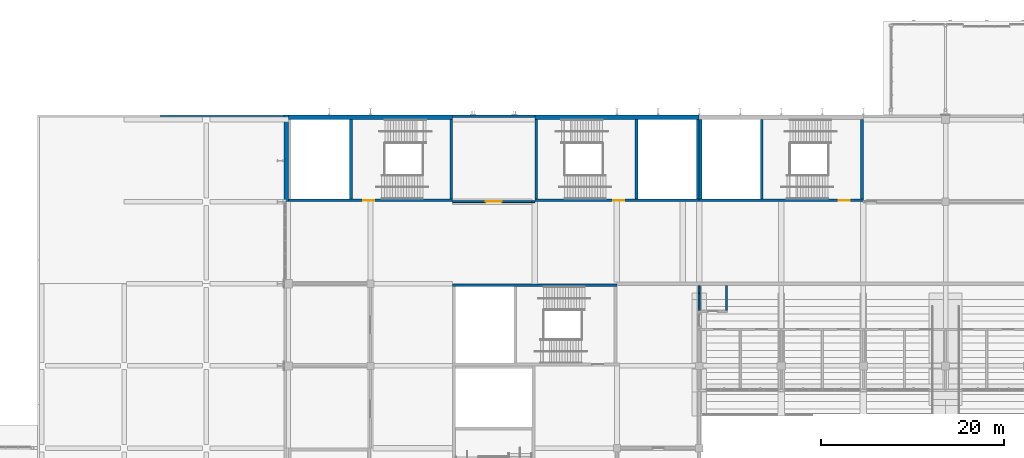
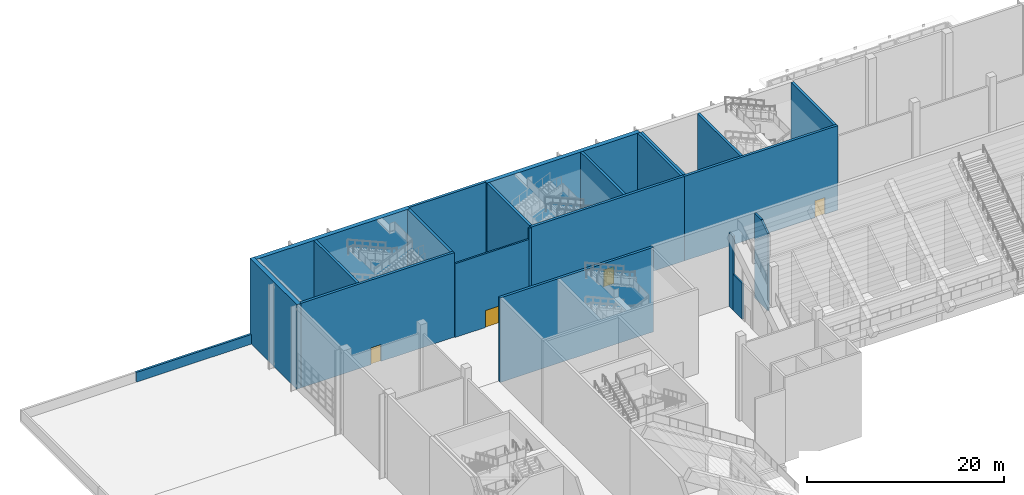
# One storey, part 93 of 182: 22 walls, 4 doors, 4 openings.
"""IFC4 building model written with IfcOpenShell, lengths in metres."""

from ifc_helpers import new_model, si_unit, direction, frame, frame_2d, origin, place, context, subcontext, project, spatial, polyline, rectangle, outline, extrude, material, layer, layer_set, type_object, element, fill, save


model = new_model("IFC4")

# Units and contexts
model_context = context("Model", 3, precision=1e-05, world=origin(), true_north=direction((0.0, 1.0)))
body_context = subcontext(model_context, "Body", "Model", "MODEL_VIEW")
ifc_project = project(units=[si_unit("LENGTHUNIT", "METRE"), si_unit("AREAUNIT", "SQUARE_METRE"), si_unit("VOLUMEUNIT", "CUBIC_METRE"), si_unit("PLANEANGLEUNIT", "RADIAN"), si_unit("MASSUNIT", "GRAM", prefix="KILO")], contexts=[model_context])

# Site, building, storey
site_placement = place(None, origin())
site = spatial("IfcSite", under=ifc_project, at=site_placement, CompositionType="ELEMENT")
building_placement = place(site_placement, origin())
building = spatial("IfcBuilding", under=site, at=building_placement, Name="Silverbay Arena", CompositionType="ELEMENT")
storey_placement = place(building_placement, frame((0.0, 0.0, 11.5)))
storey = spatial("IfcBuildingStorey", under=building, at=storey_placement, Name="L02", CompositionType="ELEMENT", Elevation=11.5)

# Wall
ifc_material_1 = material(Name="Concrete Grade C45 precast, light finish", Category="concrete")
ifc_layer_1 = layer(ifc_material_1, 0.300048828125)
ifc_layer_set_1 = layer_set([ifc_layer_1], Name="Concrete Grade C45 precast, light finish")
wall_type_1 = type_object("IfcWallType", Name="Cladded external wall 300", PredefinedType="SOLIDWALL", material=ifc_layer_set_1)
wall_1_placement = place(storey_placement, frame((81.0, 144.35009765625, 0.0), z_axis=(0.0, 0.0, 1.0), x_axis=(-1.0, 0.0, 0.0)))
element("IfcWall", 1, at=wall_1_placement, inside=storey, type_object=wall_type_1, Name="North external wall L02 bay 3", PredefinedType="SOLIDWALL", context=body_context, shape_type="SweptSolid", body=[
    extrude(rectangle(XDim=9.0, YDim=0.300048828125, at=frame_2d((4.5, 0.0))), origin(), (0.0, 0.0, 1.0), 10.5),
])

# Wall, opening, door
ifc_material_2 = material(Name="Concrete Grade C45", Category="concrete")
ifc_layer_2 = layer(ifc_material_2, 0.300048828125)
ifc_layer_set_2 = layer_set([ifc_layer_2], Name="Concrete Grade C45")
wall_type_2 = type_object("IfcWallType", Name="Core wall RC 300 EI 120", PredefinedType="SHEAR", material=ifc_layer_set_2)
wall_2_placement = place(storey_placement, frame((81.0, 135.14990234375, 0.0), z_axis=(0.0, 0.0, 1.0), x_axis=(1.0, 0.0, 0.0)))
wall_2 = element("IfcWall", 2, at=wall_2_placement, inside=storey, type_object=wall_type_2, Name="Core wall ST-N1 L02 door side", PredefinedType="SHEAR", context=body_context, shape_type="SweptSolid", body=[
    extrude(rectangle(XDim=18.0, YDim=0.300048828125, at=frame_2d((9.0, 0.0))), origin(), (0.0, 0.0, 1.0), 10.5),
])
opening_1_placement = place(wall_2_placement, frame((8.60009765625, 0.0, 0.0)))
opening_1 = element("IfcOpeningElement", 3, at=opening_1_placement, cuts=wall_2, Name="Opening L02-079", PredefinedType="OPENING", context=body_context, shape_type="SweptSolid", body=[
    extrude(rectangle(XDim=1.199951171875, YDim=2.10009765625, at=frame_2d((0.60009765625, 1.050048828125))), frame((0.0, 0.16015625, 0.0), z_axis=(0.0, -1.0, 0.0), x_axis=(1.0, 0.0, 0.0)), (0.0, 0.0, 1.0), 0.320068359375),
])
ifc_material_3 = material(Name="Steel fire door", Category="steel")
door_type_1 = type_object("IfcDoorType", Name="Stair door 1200 x 2100 fire door", OperationType="SINGLE_SWING_LEFT", PredefinedType="DOOR", material=ifc_material_3)
door_1_placement = place(opening_1_placement, origin())
door_1 = element("IfcDoor", 4, at=door_1_placement, inside=storey, type_object=door_type_1, Name="Stair door ST-N1 L02", OperationType="SINGLE_SWING_RIGHT", OverallHeight=2.10009765625, OverallWidth=1.199951171875, PredefinedType="DOOR", context=body_context, shape_type="SweptSolid", body=[
    extrude(rectangle(XDim=1.199951171875, YDim=2.10009765625, at=frame_2d((0.60009765625, 1.050048828125))), frame((0.0, 0.02490234375, 0.0), z_axis=(0.0, -1.0, 0.0), x_axis=(1.0, 0.0, 0.0)), (0.0, 0.0, 1.0), 0.050048828125),
])
fill(opening_1, door_1)

# Walls
for number, where, z_axis, x_axis, name in (
    (5, (81.14990234375, 135.300048828125, 0.0), (0.0, 0.0, 1.0), (0.0, 1.0, 0.0), "Core wall ST-N1 L02 end 1"),
    (6, (98.85009765625, 135.300048828125, 0.0), (0.0, 0.0, 1.0), (0.0, 1.0, 0.0), "Core wall ST-N1 L02 end 2"),
    (7, (92.14990234375, 135.300048828125, 0.0), (0.0, 0.0, 1.0), (0.0, 1.0, 0.0), "Core wall ST-N1 L02 stair enclosure"),
):
    element("IfcWall", number, at=place(storey_placement, frame(where, z_axis=z_axis, x_axis=x_axis)), inside=storey, type_object=wall_type_2, Name=name, PredefinedType="SHEAR", context=body_context, shape_type="SweptSolid", body=[
        extrude(rectangle(XDim=8.699951171875, YDim=0.300048828125, at=frame_2d((4.35009765625, 0.0))), origin(), (0.0, 0.0, 1.0), 10.5),
    ])

# Wall, opening, door
wall_3_placement = place(storey_placement, frame((117.0, 135.14990234375, 0.0), z_axis=(0.0, 0.0, 1.0), x_axis=(-1.0, 0.0, 0.0)))
wall_3 = element("IfcWall", 8, at=wall_3_placement, inside=storey, type_object=wall_type_2, Name="Core wall ST-N2 L02 door side", PredefinedType="SHEAR", context=body_context, shape_type="SweptSolid", body=[
    extrude(rectangle(XDim=18.0, YDim=0.300048828125, at=frame_2d((9.0, 0.0))), origin(), (0.0, 0.0, 1.0), 10.5),
])
opening_2_placement = place(wall_3_placement, frame((1.5, 0.0, 0.0)))
opening_2 = element("IfcOpeningElement", 9, at=opening_2_placement, cuts=wall_3, Name="Opening L02-080", PredefinedType="OPENING", context=body_context, shape_type="SweptSolid", body=[
    extrude(rectangle(XDim=1.199951171875, YDim=2.10009765625, at=frame_2d((0.60009765625, 1.050048828125))), frame((0.0, 0.16015625, 0.0), z_axis=(0.0, -1.0, 0.0), x_axis=(1.0, 0.0, 0.0)), (0.0, 0.0, 1.0), 0.320068359375),
])
door_2_placement = place(opening_2_placement, frame((1.199951171875, 0.0, 0.0), z_axis=(0.0, 0.0, 1.0), x_axis=(-1.0, 0.0, 0.0)))
door_2 = element("IfcDoor", 10, at=door_2_placement, inside=storey, type_object=door_type_1, Name="Stair door ST-N2 L02", OperationType="SINGLE_SWING_RIGHT", OverallHeight=2.10009765625, OverallWidth=1.199951171875, PredefinedType="DOOR", context=body_context, shape_type="SweptSolid", body=[
    extrude(rectangle(XDim=1.199951171875, YDim=2.10009765625, at=frame_2d((0.60009765625, 1.050048828125))), frame((0.0, 0.02490234375, 0.0), z_axis=(0.0, -1.0, 0.0), x_axis=(1.0, 0.0, 0.0)), (0.0, 0.0, 1.0), 0.050048828125),
])
fill(opening_2, door_2)

# Walls
for number, where, z_axis, x_axis, name in (
    (11, (116.85009765625, 135.300048828125, 0.0), (0.0, 0.0, 1.0), (0.0, 1.0, 0.0), "Core wall ST-N2 L02 end 1"),
    (12, (99.14990234375, 135.300048828125, 0.0), (0.0, 0.0, 1.0), (0.0, 1.0, 0.0), "Core wall ST-N2 L02 end 2"),
    (13, (105.85009765625, 135.300048828125, 0.0), (0.0, 0.0, 1.0), (0.0, 1.0, 0.0), "Core wall ST-N2 L02 stair enclosure"),
):
    element("IfcWall", number, at=place(storey_placement, frame(where, z_axis=z_axis, x_axis=x_axis)), inside=storey, type_object=wall_type_2, Name=name, PredefinedType="SHEAR", context=body_context, shape_type="SweptSolid", body=[
        extrude(rectangle(XDim=8.699951171875, YDim=0.300048828125, at=frame_2d((4.35009765625, 0.0))), origin(), (0.0, 0.0, 1.0), 10.5),
    ])

# Wall, opening, door
wall_4_placement = place(storey_placement, frame((72.0, 135.14990234375, 0.0), z_axis=(0.0, 0.0, 1.0), x_axis=(-1.0, 0.0, 0.0)))
wall_4 = element("IfcWall", 14, at=wall_4_placement, inside=storey, type_object=wall_type_2, Name="Core wall ST-N5 L02 door side", PredefinedType="SHEAR", context=body_context, shape_type="SweptSolid", body=[
    extrude(rectangle(XDim=18.0, YDim=0.300048828125, at=frame_2d((9.0, 0.0))), origin(), (0.0, 0.0, 1.0), 10.5),
])
opening_3_placement = place(wall_4_placement, frame((8.60009765625, 0.0, 0.0)))
opening_3 = element("IfcOpeningElement", 15, at=opening_3_placement, cuts=wall_4, Name="Opening L02-085", PredefinedType="OPENING", context=body_context, shape_type="SweptSolid", body=[
    extrude(rectangle(XDim=1.199951171875, YDim=2.10009765625, at=frame_2d((0.60009765625, 1.050048828125))), frame((0.0, 0.16015625, 0.0), z_axis=(0.0, -1.0, 0.0), x_axis=(1.0, 0.0, 0.0)), (0.0, 0.0, 1.0), 0.320068359375),
])
door_3_placement = place(opening_3_placement, frame((1.199951171875, 0.0, 0.0), z_axis=(0.0, 0.0, 1.0), x_axis=(-1.0, 0.0, 0.0)))
door_3 = element("IfcDoor", 16, at=door_3_placement, inside=storey, type_object=door_type_1, Name="Stair door ST-N5 L02", OperationType="SINGLE_SWING_LEFT", OverallHeight=2.10009765625, OverallWidth=1.199951171875, PredefinedType="DOOR", context=body_context, shape_type="SweptSolid", body=[
    extrude(rectangle(XDim=1.199951171875, YDim=2.10009765625, at=frame_2d((0.60009765625, 1.050048828125))), frame((0.0, 0.02490234375, 0.0), z_axis=(0.0, -1.0, 0.0), x_axis=(1.0, 0.0, 0.0)), (0.0, 0.0, 1.0), 0.050048828125),
])
fill(opening_3, door_3)

# Walls
for number, where, z_axis, x_axis, name in (
    (17, (71.85009765625, 135.300048828125, 0.0), (0.0, 0.0, 1.0), (0.0, 1.0, 0.0), "Core wall ST-N5 L02 end 1"),
    (18, (60.85009765625, 135.300048828125, 0.0), (0.0, 0.0, 1.0), (0.0, 1.0, 0.0), "Core wall ST-N5 L02 stair enclosure"),
):
    element("IfcWall", number, at=place(storey_placement, frame(where, z_axis=z_axis, x_axis=x_axis)), inside=storey, type_object=wall_type_2, Name=name, PredefinedType="SHEAR", context=body_context, shape_type="SweptSolid", body=[
        extrude(rectangle(XDim=8.699951171875, YDim=0.300048828125, at=frame_2d((4.35009765625, 0.0))), origin(), (0.0, 0.0, 1.0), 10.5),
    ])
wall_5_placement = place(storey_placement, frame((90.0, 125.85009765625, 0.0), z_axis=(0.0, 0.0, 1.0), x_axis=(-1.0, 0.0, 0.0)))
element("IfcWall", 19, at=wall_5_placement, inside=storey, type_object=wall_type_2, Name="Core wall ST-NW1 L02 far side", PredefinedType="SHEAR", context=body_context, shape_type="SweptSolid", body=[
    extrude(rectangle(XDim=18.0, YDim=0.300048828125, at=frame_2d((9.0, 0.0))), origin(), (0.0, 0.0, 1.0), 10.5),
])
ifc_material_4 = material(Name="Concrete Grade C45", Category="concrete")
ifc_layer_3 = layer(ifc_material_4, 0.5)
ifc_layer_set_3 = layer_set([ifc_layer_3], Name="Concrete Grade C45")
wall_type_3 = type_object("IfcWallType", Name="Core wall RC 500 external EI 120", PredefinedType="SHEAR", material=ifc_layer_set_3)
for number, where, z_axis, x_axis, name in (
    (20, (81.0, 144.25, 0.0), (0.0, 0.0, 1.0), (1.0, 0.0, 0.0), "Core wall ST-N1 L02 facade side"),
    (21, (72.0, 144.25, 0.0), (0.0, 0.0, 1.0), (-1.0, 0.0, 0.0), "Core wall ST-N5 L02 facade side"),
):
    element("IfcWall", number, at=place(storey_placement, frame(where, z_axis=z_axis, x_axis=x_axis)), inside=storey, type_object=wall_type_3, Name=name, PredefinedType="SHEAR", context=body_context, shape_type="SweptSolid", body=[
        extrude(rectangle(XDim=18.0, YDim=0.5, at=frame_2d((9.0, 0.0))), origin(), (0.0, 0.0, 1.0), 10.5),
    ])
ifc_material_5 = material(Name="Concrete Grade C45", Category="concrete")
ifc_layer_4 = layer(ifc_material_5, 0.25)
ifc_layer_set_4 = layer_set([ifc_layer_4], Name="Concrete Grade C45")
wall_type_4 = type_object("IfcWallType", Name="Parapet wall 250", PredefinedType="PARAPET", material=ifc_layer_set_4)
wall_6_placement = place(storey_placement, frame((53.5, 144.375, 0.0), z_axis=(0.0, 0.0, 1.0), x_axis=(-1.0, 0.0, 0.0)))
element("IfcWall", 22, at=wall_6_placement, inside=storey, type_object=wall_type_4, Name="West wing parapet 3", PredefinedType="PARAPET", context=body_context, shape_type="SweptSolid", body=[
    extrude(rectangle(XDim=13.5, YDim=0.25, at=frame_2d((6.75, 0.0))), origin(), (0.0, 0.0, 1.0), 1.199951171875),
])

# Wall, opening, door
ifc_material_6 = material(Name="Gypsum board partition on steel studs", Category="steel")
ifc_layer_5 = layer(ifc_material_6, 0.199951171875)
ifc_layer_set_5 = layer_set([ifc_layer_5], Name="Gypsum board partition on steel studs")
wall_type_5 = type_object("IfcWallType", Name="Partition 200 EI 60", PredefinedType="PARTITIONING", material=ifc_layer_set_5)
wall_7_placement = place(storey_placement, frame((72.0, 135.0, 0.0), z_axis=(0.0, 0.0, 1.0), x_axis=(1.0, 0.0, 0.0)))
wall_7 = element("IfcWall", 23, at=wall_7_placement, inside=storey, type_object=wall_type_5, Name="Partition wall", PredefinedType="PARTITIONING", context=body_context, shape_type="SweptSolid", body=[
    extrude(rectangle(XDim=8.699951171875, YDim=0.199951171875, at=frame_2d((4.35009765625, 0.0))), origin(), (0.0, 0.0, 1.0), 9.14990234375),
])
opening_4_placement = place(wall_7_placement, frame((3.60009765625, 0.0, 0.0)))
opening_4 = element("IfcOpeningElement", 24, at=opening_4_placement, cuts=wall_7, Name="Opening L02-004", PredefinedType="OPENING", context=body_context, shape_type="SweptSolid", body=[
    extrude(rectangle(XDim=1.800048828125, YDim=2.10009765625, at=frame_2d((0.89990234375, 1.050048828125))), frame((0.0, 0.10986328125, 0.0), z_axis=(0.0, -1.0, 0.0), x_axis=(1.0, 0.0, 0.0)), (0.0, 0.0, 1.0), 0.219970703125),
])
ifc_material_7 = material(Name="Steel faced timber", Category="steel")
door_type_2 = type_object("IfcDoorType", Name="Double leaf door 1800 x 2100 FD30S", OperationType="DOUBLE_DOOR_DOUBLE_SWING", PredefinedType="DOOR", material=ifc_material_7)
door_4_placement = place(opening_4_placement, origin())
door_4 = element("IfcDoor", 25, at=door_4_placement, inside=storey, type_object=door_type_2, Name="Door L02-004", OperationType="DOUBLE_DOOR_DOUBLE_SWING", OverallHeight=2.10009765625, OverallWidth=1.800048828125, PredefinedType="DOOR", context=body_context, shape_type="SweptSolid", body=[
    extrude(rectangle(XDim=1.800048828125, YDim=2.10009765625, at=frame_2d((0.89990234375, 1.050048828125))), frame((0.0, 0.02490234375, 0.0), z_axis=(0.0, -1.0, 0.0), x_axis=(1.0, 0.0, 0.0)), (0.0, 0.0, 1.0), 0.050048828125),
])
fill(opening_4, door_4)

# Walls
wall_8_placement = place(storey_placement, frame((99.0, 123.10009765625, 0.0), z_axis=(0.0, 0.0, 1.0), x_axis=(0.0, 1.0, 0.0)))
element("IfcWall", 26, at=wall_8_placement, inside=storey, type_object=wall_type_5, Name="Partition wall", PredefinedType="PARTITIONING", context=body_context, shape_type="SweptSolid", body=[
    extrude(rectangle(XDim=1.888916015625, YDim=0.199951171875, at=frame_2d((0.9443359375, 0.0))), origin(), (0.0, 0.0, 1.0), 4.43896484375),
])
wall_9_placement = place(storey_placement, frame((102.0, 123.10009765625, 0.0), z_axis=(0.0, 0.0, 1.0), x_axis=(0.0, 1.0, 0.0)))
element("IfcWall", 27, at=wall_9_placement, inside=storey, type_object=wall_type_5, Name="Partition wall", PredefinedType="PARTITIONING", context=body_context, shape_type="SweptSolid", body=[
    extrude(outline(polyline([(0.0, 0.0), (2.699951171875, 0.0), (2.699951171875, 10.5), (1.35009765625, 10.5), (0.89990234375, 10.132568359375), (0.0, 9.570068359375), (0.0, 0.0)])), frame((0.0, 0.10009765625, 0.0), z_axis=(0.0, -1.0, 0.0), x_axis=(1.0, 0.0, 0.0)), (0.0, 0.0, 1.0), 0.199951171875),
])
wall_10_placement = place(storey_placement, frame((80.699951171875, 135.0, 0.0), z_axis=(0.0, 0.0, 1.0), x_axis=(1.0, 0.0, 0.0)))
element("IfcWall", 28, at=wall_10_placement, inside=storey, type_object=wall_type_5, Name="Partition wall", PredefinedType="PARTITIONING", context=body_context, shape_type="SweptSolid", body=[
    extrude(rectangle(XDim=0.300048828125, YDim=0.199951171875, at=frame_2d((0.14990234375, 0.0))), origin(), (0.0, 0.0, 1.0), 10.5),
])
wall_11_placement = place(storey_placement, frame((99.0, 124.989013671875, 0.0), z_axis=(0.0, 0.0, 1.0), x_axis=(0.0, 1.0, 0.0)))
element("IfcWall", 29, at=wall_11_placement, inside=storey, type_object=wall_type_5, Name="Partition wall", PredefinedType="PARTITIONING", context=body_context, shape_type="SweptSolid", body=[
    extrude(rectangle(XDim=0.81103515625, YDim=0.199951171875, at=frame_2d((0.405517578125, 0.0))), origin(), (0.0, 0.0, 1.0), 9.14990234375),
])
ifc_material_8 = material(Name="Concrete Grade C45", Category="concrete")
ifc_layer_6 = layer(ifc_material_8, 0.5)
ifc_layer_set_6 = layer_set([ifc_layer_6], Name="Concrete Grade C45")
wall_type_6 = type_object("IfcWallType", Name="Stair core facade wall 500", PredefinedType="SOLIDWALL", material=ifc_layer_set_6)
wall_12_placement = place(storey_placement, frame((53.75, 144.5, 0.0), z_axis=(0.0, 0.0, 1.0), x_axis=(0.0, -1.0, 0.0)))
element("IfcWall", 30, at=wall_12_placement, inside=storey, type_object=wall_type_6, Name="West stair core facade wall L02 bay 14", PredefinedType="SOLIDWALL", context=body_context, shape_type="SweptSolid", body=[
    extrude(rectangle(XDim=9.5, YDim=0.5, at=frame_2d((4.75, 0.0))), origin(), (0.0, 0.0, 1.0), 10.5),
])

save(model, "model.ifc")
